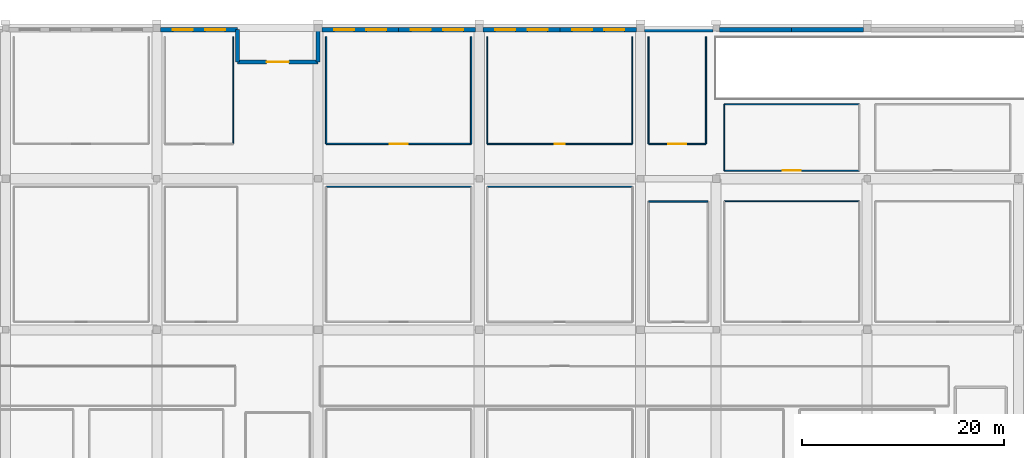
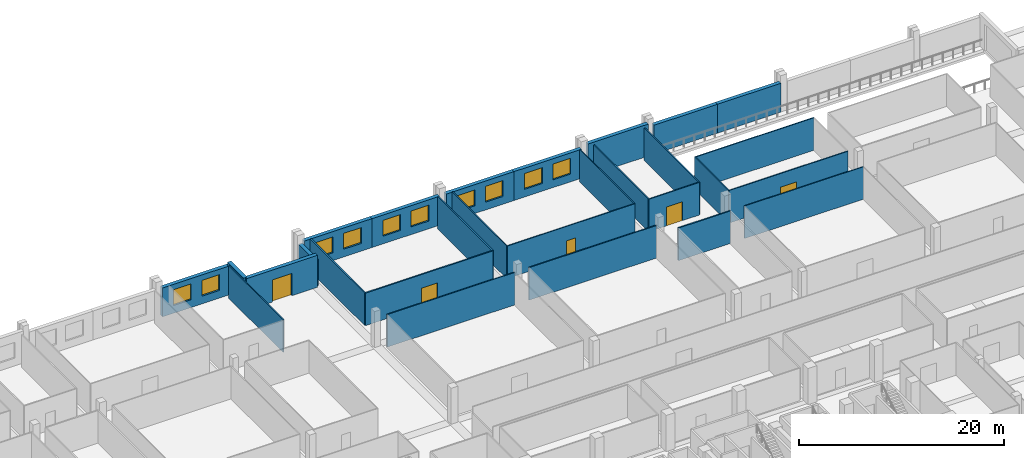
# One storey, part 21 of 33: 28 walls, 10 windows, 5 doors, 15 openings.
"""IFC4 building model written with IfcOpenShell, lengths in metres."""

from ifc_helpers import new_model, si_unit, direction, frame, frame_2d, origin, place, context, subcontext, project, spatial, rectangle, extrude, material, layer, layer_set, type_object, element, fill, save


model = new_model("IFC4")

# Units and contexts
model_context = context("Model", 3, precision=1e-05, world=origin(), true_north=direction((0.0, 1.0)))
body_context = subcontext(model_context, "Body", "Model", "MODEL_VIEW")
ifc_project = project(units=[si_unit("LENGTHUNIT", "METRE"), si_unit("AREAUNIT", "SQUARE_METRE"), si_unit("VOLUMEUNIT", "CUBIC_METRE"), si_unit("PLANEANGLEUNIT", "RADIAN"), si_unit("MASSUNIT", "GRAM", prefix="KILO")], contexts=[model_context])

# Site, building, storey
site_placement = place(None, origin())
site = spatial("IfcSite", under=ifc_project, at=site_placement, CompositionType="ELEMENT")
building_placement = place(site_placement, origin())
building = spatial("IfcBuilding", under=site, at=building_placement, Name="Akrevak Sports Hall", CompositionType="ELEMENT")
storey_placement = place(building_placement, origin())
storey = spatial("IfcBuildingStorey", under=building, at=storey_placement, Name="L00", CompositionType="ELEMENT", Elevation=0.0)

# Wall, openings, windows
ifc_material_1 = material(Name="Limestone Ashlar", Category="stone")
ifc_layer_1 = layer(ifc_material_1, 0.090087890625, Name="Limestone Ashlar")
ifc_material_2 = material(Name="Mineral Wool Thermal Insulation", Category="insulation")
ifc_layer_2 = layer(ifc_material_2, 0.110107421875, Name="Mineral Wool Thermal Insulation")
ifc_material_3 = material(Name="Concrete C40/50", Category="concrete")
ifc_layer_3 = layer(ifc_material_3, 0.219970703125, Name="Concrete C40/50")
ifc_layer_set_1 = layer_set([ifc_layer_1, ifc_layer_2, ifc_layer_3], Name="Limestone Ashlar / Mineral Wool Thermal Insulation / Concrete C40/50")
wall_type_1 = type_object("IfcWallType", Name="ARC-WL-EXT-420", PredefinedType="SOLIDWALL", material=ifc_layer_set_1)
wall_1_placement = place(storey_placement, frame((68.0, 113.7900390625, 0.0), z_axis=(0.0, 0.0, 1.0), x_axis=(-1.0, 0.0, 0.0)))
wall_1 = element("IfcWall", 1, at=wall_1_placement, inside=storey, type_object=wall_type_1, Name="North Concourse Stone Wall L00-N09", PredefinedType="SOLIDWALL", context=body_context, shape_type="SweptSolid", body=[
    extrude(rectangle(XDim=7.625, YDim=0.419921875, at=frame_2d((3.8125, 0.0))), origin(), (0.0, 0.0, 1.0), 3.449951171875),
])
opening_1_placement = place(wall_1_placement, frame((4.413818359375, 0.0, 0.919921875)))
opening_1 = element("IfcOpeningElement", 2, at=opening_1_placement, cuts=wall_1, Name="Opening WN-28", PredefinedType="OPENING", context=body_context, shape_type="SweptSolid", body=[
    extrude(rectangle(XDim=2.0, YDim=1.889892578125, at=frame_2d((1.0, 0.94482421875))), frame((0.0, 0.221923828125, 0.0), z_axis=(0.0, -1.0, 0.0), x_axis=(1.0, 0.0, 0.0)), (0.0, 0.0, 1.0), 0.44384765625),
])
opening_2_placement = place(wall_1_placement, frame((1.211181640625, 0.0, 0.919921875)))
opening_2 = element("IfcOpeningElement", 3, at=opening_2_placement, cuts=wall_1, Name="Opening WN-28", PredefinedType="OPENING", context=body_context, shape_type="SweptSolid", body=[
    extrude(rectangle(XDim=2.0, YDim=1.889892578125, at=frame_2d((1.0, 0.94482421875))), frame((0.0, 0.221923828125, 0.0), z_axis=(0.0, -1.0, 0.0), x_axis=(1.0, 0.0, 0.0)), (0.0, 0.0, 1.0), 0.44384765625),
])
ifc_material_4 = material(Name="Thermally Broken Bronze Frame & Double Low-E Glass", Category="glass")
window_type = type_object("IfcWindowType", Name="ARC-WIN-SZ-2000x1890", PartitioningType="SINGLE_PANEL", PredefinedType="WINDOW", material=ifc_material_4)
window_1_placement = place(opening_1_placement, origin())
window_1 = element("IfcWindow", 4, at=window_1_placement, inside=storey, type_object=window_type, Name="Beaux-Arts Facade Window WIN-L00-N09-1", OverallHeight=1.889892578125, OverallWidth=2.0, PartitioningType="SINGLE_PANEL", PredefinedType="WINDOW", context=body_context, shape_type="SweptSolid", body=[
    extrude(rectangle(XDim=2.0, YDim=1.889892578125, at=frame_2d((1.0, 0.94482421875))), frame((0.0, 0.030029296875, 0.0), z_axis=(0.0, -1.0, 0.0), x_axis=(1.0, 0.0, 0.0)), (0.0, 0.0, 1.0), 0.06005859375),
])
fill(opening_1, window_1)
window_2_placement = place(opening_2_placement, origin())
window_2 = element("IfcWindow", 5, at=window_2_placement, inside=storey, type_object=window_type, Name="Beaux-Arts Facade Window WIN-L00-N09-2", OverallHeight=1.889892578125, OverallWidth=2.0, PartitioningType="SINGLE_PANEL", PredefinedType="WINDOW", context=body_context, shape_type="SweptSolid", body=[
    extrude(rectangle(XDim=2.0, YDim=1.889892578125, at=frame_2d((1.0, 0.94482421875))), frame((0.0, 0.030029296875, 0.0), z_axis=(0.0, -1.0, 0.0), x_axis=(1.0, 0.0, 0.0)), (0.0, 0.0, 1.0), 0.06005859375),
])
fill(opening_2, window_2)

# Walls
wall_2_placement = place(storey_placement, frame((76.0, 113.7900390625, 0.0), z_axis=(0.0, 0.0, 1.0), x_axis=(0.0, -1.0, 0.0)))
element("IfcWall", 6, at=wall_2_placement, inside=storey, type_object=wall_type_1, Name="North Athletes Portico Cheek East L00", PredefinedType="SOLIDWALL", context=body_context, shape_type="SweptSolid", body=[
    extrude(rectangle(XDim=3.18994140625, YDim=0.419921875, at=frame_2d((1.594970703125, 0.0))), origin(), (0.0, 0.0, 1.0), 3.14990234375),
])
wall_3_placement = place(storey_placement, frame((68.0, 110.60009765625, 0.0), z_axis=(0.0, 0.0, 1.0), x_axis=(0.0, 1.0, 0.0)))
element("IfcWall", 7, at=wall_3_placement, inside=storey, type_object=wall_type_1, Name="North Athletes Portico Cheek West L00", PredefinedType="SOLIDWALL", context=body_context, shape_type="SweptSolid", body=[
    extrude(rectangle(XDim=3.18994140625, YDim=0.419921875, at=frame_2d((1.594970703125, 0.0))), origin(), (0.0, 0.0, 1.0), 3.820068359375),
])

# Wall, opening, door
wall_4_placement = place(storey_placement, frame((76.0, 110.60009765625, 0.0), z_axis=(0.0, 0.0, 1.0), x_axis=(-1.0, 0.0, 0.0)))
wall_4 = element("IfcWall", 8, at=wall_4_placement, inside=storey, type_object=wall_type_1, Name="North Athletes Recessed Portico Wall L00", PredefinedType="SOLIDWALL", context=body_context, shape_type="SweptSolid", body=[
    extrude(rectangle(XDim=8.0, YDim=0.419921875, at=frame_2d((4.0, 0.0))), origin(), (0.0, 0.0, 1.0), 3.820068359375),
])
opening_3_placement = place(wall_4_placement, frame((2.89990234375, 0.0, 0.0)))
opening_3 = element("IfcOpeningElement", 9, at=opening_3_placement, cuts=wall_4, Name="Opening ED-02", PredefinedType="OPENING", context=body_context, shape_type="SweptSolid", body=[
    extrude(rectangle(XDim=2.199951171875, YDim=2.64990234375, at=frame_2d((1.10009765625, 1.324951171875))), frame((0.0, 0.221923828125, 0.0), z_axis=(0.0, -1.0, 0.0), x_axis=(1.0, 0.0, 0.0)), (0.0, 0.0, 1.0), 0.44384765625),
])
ifc_material_5 = material(Name="Anodized Bronze Aluminium & Tempered Glass", Category="aluminium")
door_type_1 = type_object("IfcDoorType", Name="ARC-DR-EXT-220x245", OperationType="DOUBLE_DOOR_SINGLE_SWING", PredefinedType="DOOR", material=ifc_material_5)
door_1_placement = place(opening_3_placement, frame((2.199951171875, 0.0, 0.0), z_axis=(0.0, 0.0, 1.0), x_axis=(-1.0, 0.0, 0.0)))
door_1 = element("IfcDoor", 10, at=door_1_placement, inside=storey, type_object=door_type_1, Name="North Athletes Concourse Exit ED08", OperationType="DOUBLE_DOOR_SINGLE_SWING", OverallHeight=2.64990234375, OverallWidth=2.199951171875, PredefinedType="DOOR", context=body_context, shape_type="SweptSolid", body=[
    extrude(rectangle(XDim=2.199951171875, YDim=2.64990234375, at=frame_2d((1.10009765625, 1.324951171875))), frame((0.0, 0.02490234375, 0.0), z_axis=(0.0, -1.0, 0.0), x_axis=(1.0, 0.0, 0.0)), (0.0, 0.0, 1.0), 0.050048828125),
])
fill(opening_3, door_1)

# Wall, openings, windows
wall_5_placement = place(storey_placement, frame((84.0, 113.7900390625, 0.0), z_axis=(0.0, 0.0, 1.0), x_axis=(-1.0, 0.0, 0.0)))
wall_5 = element("IfcWall", 11, at=wall_5_placement, inside=storey, type_object=wall_type_1, Name="North Concourse Stone Wall L00-N11", PredefinedType="SOLIDWALL", context=body_context, shape_type="SweptSolid", body=[
    extrude(rectangle(XDim=7.625, YDim=0.419921875, at=frame_2d((3.8125, 0.0))), origin(), (0.0, 0.0, 1.0), 3.449951171875),
])
opening_4_placement = place(wall_5_placement, frame((4.413818359375, 0.0, 0.919921875)))
opening_4 = element("IfcOpeningElement", 12, at=opening_4_placement, cuts=wall_5, Name="Opening WN-28", PredefinedType="OPENING", context=body_context, shape_type="SweptSolid", body=[
    extrude(rectangle(XDim=2.0, YDim=1.889892578125, at=frame_2d((1.0, 0.94482421875))), frame((0.0, 0.221923828125, 0.0), z_axis=(0.0, -1.0, 0.0), x_axis=(1.0, 0.0, 0.0)), (0.0, 0.0, 1.0), 0.44384765625),
])
opening_5_placement = place(wall_5_placement, frame((1.211181640625, 0.0, 0.919921875)))
opening_5 = element("IfcOpeningElement", 13, at=opening_5_placement, cuts=wall_5, Name="Opening WN-28", PredefinedType="OPENING", context=body_context, shape_type="SweptSolid", body=[
    extrude(rectangle(XDim=2.0, YDim=1.889892578125, at=frame_2d((1.0, 0.94482421875))), frame((0.0, 0.221923828125, 0.0), z_axis=(0.0, -1.0, 0.0), x_axis=(1.0, 0.0, 0.0)), (0.0, 0.0, 1.0), 0.44384765625),
])
window_3_placement = place(opening_4_placement, origin())
window_3 = element("IfcWindow", 14, at=window_3_placement, inside=storey, type_object=window_type, Name="Beaux-Arts Facade Window WIN-L00-N11-1", OverallHeight=1.889892578125, OverallWidth=2.0, PartitioningType="SINGLE_PANEL", PredefinedType="WINDOW", context=body_context, shape_type="SweptSolid", body=[
    extrude(rectangle(XDim=2.0, YDim=1.889892578125, at=frame_2d((1.0, 0.94482421875))), frame((0.0, 0.030029296875, 0.0), z_axis=(0.0, -1.0, 0.0), x_axis=(1.0, 0.0, 0.0)), (0.0, 0.0, 1.0), 0.06005859375),
])
fill(opening_4, window_3)
window_4_placement = place(opening_5_placement, origin())
window_4 = element("IfcWindow", 15, at=window_4_placement, inside=storey, type_object=window_type, Name="Beaux-Arts Facade Window WIN-L00-N11-2", OverallHeight=1.889892578125, OverallWidth=2.0, PartitioningType="SINGLE_PANEL", PredefinedType="WINDOW", context=body_context, shape_type="SweptSolid", body=[
    extrude(rectangle(XDim=2.0, YDim=1.889892578125, at=frame_2d((1.0, 0.94482421875))), frame((0.0, 0.030029296875, 0.0), z_axis=(0.0, -1.0, 0.0), x_axis=(1.0, 0.0, 0.0)), (0.0, 0.0, 1.0), 0.06005859375),
])
fill(opening_5, window_4)

wall_6_placement = place(storey_placement, frame((91.625, 113.7900390625, 0.0), z_axis=(0.0, 0.0, 1.0), x_axis=(-1.0, 0.0, 0.0)))
wall_6 = element("IfcWall", 16, at=wall_6_placement, inside=storey, type_object=wall_type_1, Name="North Concourse Stone Wall L00-N12", PredefinedType="SOLIDWALL", context=body_context, shape_type="SweptSolid", body=[
    extrude(rectangle(XDim=7.625, YDim=0.419921875, at=frame_2d((3.8125, 0.0))), origin(), (0.0, 0.0, 1.0), 3.449951171875),
])
opening_6_placement = place(wall_6_placement, frame((4.413818359375, 0.0, 0.919921875)))
opening_6 = element("IfcOpeningElement", 17, at=opening_6_placement, cuts=wall_6, Name="Opening WN-28", PredefinedType="OPENING", context=body_context, shape_type="SweptSolid", body=[
    extrude(rectangle(XDim=2.0, YDim=1.889892578125, at=frame_2d((1.0, 0.94482421875))), frame((0.0, 0.221923828125, 0.0), z_axis=(0.0, -1.0, 0.0), x_axis=(1.0, 0.0, 0.0)), (0.0, 0.0, 1.0), 0.44384765625),
])
opening_7_placement = place(wall_6_placement, frame((1.211181640625, 0.0, 0.919921875)))
opening_7 = element("IfcOpeningElement", 18, at=opening_7_placement, cuts=wall_6, Name="Opening WN-28", PredefinedType="OPENING", context=body_context, shape_type="SweptSolid", body=[
    extrude(rectangle(XDim=2.0, YDim=1.889892578125, at=frame_2d((1.0, 0.94482421875))), frame((0.0, 0.221923828125, 0.0), z_axis=(0.0, -1.0, 0.0), x_axis=(1.0, 0.0, 0.0)), (0.0, 0.0, 1.0), 0.44384765625),
])
window_5_placement = place(opening_6_placement, origin())
window_5 = element("IfcWindow", 19, at=window_5_placement, inside=storey, type_object=window_type, Name="Beaux-Arts Facade Window WIN-L00-N12-1", OverallHeight=1.889892578125, OverallWidth=2.0, PartitioningType="SINGLE_PANEL", PredefinedType="WINDOW", context=body_context, shape_type="SweptSolid", body=[
    extrude(rectangle(XDim=2.0, YDim=1.889892578125, at=frame_2d((1.0, 0.94482421875))), frame((0.0, 0.030029296875, 0.0), z_axis=(0.0, -1.0, 0.0), x_axis=(1.0, 0.0, 0.0)), (0.0, 0.0, 1.0), 0.06005859375),
])
fill(opening_6, window_5)
window_6_placement = place(opening_7_placement, origin())
window_6 = element("IfcWindow", 20, at=window_6_placement, inside=storey, type_object=window_type, Name="Beaux-Arts Facade Window WIN-L00-N12-2", OverallHeight=1.889892578125, OverallWidth=2.0, PartitioningType="SINGLE_PANEL", PredefinedType="WINDOW", context=body_context, shape_type="SweptSolid", body=[
    extrude(rectangle(XDim=2.0, YDim=1.889892578125, at=frame_2d((1.0, 0.94482421875))), frame((0.0, 0.030029296875, 0.0), z_axis=(0.0, -1.0, 0.0), x_axis=(1.0, 0.0, 0.0)), (0.0, 0.0, 1.0), 0.06005859375),
])
fill(opening_7, window_6)

wall_7_placement = place(storey_placement, frame((100.0, 113.7900390625, 0.0), z_axis=(0.0, 0.0, 1.0), x_axis=(-1.0, 0.0, 0.0)))
wall_7 = element("IfcWall", 21, at=wall_7_placement, inside=storey, type_object=wall_type_1, Name="North Concourse Stone Wall L00-N13", PredefinedType="SOLIDWALL", context=body_context, shape_type="SweptSolid", body=[
    extrude(rectangle(XDim=7.625, YDim=0.419921875, at=frame_2d((3.8125, 0.0))), origin(), (0.0, 0.0, 1.0), 3.449951171875),
])
opening_8_placement = place(wall_7_placement, frame((4.413818359375, 0.0, 0.919921875)))
opening_8 = element("IfcOpeningElement", 22, at=opening_8_placement, cuts=wall_7, Name="Opening WN-28", PredefinedType="OPENING", context=body_context, shape_type="SweptSolid", body=[
    extrude(rectangle(XDim=2.0, YDim=1.889892578125, at=frame_2d((1.0, 0.94482421875))), frame((0.0, 0.221923828125, 0.0), z_axis=(0.0, -1.0, 0.0), x_axis=(1.0, 0.0, 0.0)), (0.0, 0.0, 1.0), 0.44384765625),
])
opening_9_placement = place(wall_7_placement, frame((1.211181640625, 0.0, 0.919921875)))
opening_9 = element("IfcOpeningElement", 23, at=opening_9_placement, cuts=wall_7, Name="Opening WN-28", PredefinedType="OPENING", context=body_context, shape_type="SweptSolid", body=[
    extrude(rectangle(XDim=2.0, YDim=1.889892578125, at=frame_2d((1.0, 0.94482421875))), frame((0.0, 0.221923828125, 0.0), z_axis=(0.0, -1.0, 0.0), x_axis=(1.0, 0.0, 0.0)), (0.0, 0.0, 1.0), 0.44384765625),
])
window_7_placement = place(opening_8_placement, origin())
window_7 = element("IfcWindow", 24, at=window_7_placement, inside=storey, type_object=window_type, Name="Beaux-Arts Facade Window WIN-L00-N13-1", OverallHeight=1.889892578125, OverallWidth=2.0, PartitioningType="SINGLE_PANEL", PredefinedType="WINDOW", context=body_context, shape_type="SweptSolid", body=[
    extrude(rectangle(XDim=2.0, YDim=1.889892578125, at=frame_2d((1.0, 0.94482421875))), frame((0.0, 0.030029296875, 0.0), z_axis=(0.0, -1.0, 0.0), x_axis=(1.0, 0.0, 0.0)), (0.0, 0.0, 1.0), 0.06005859375),
])
fill(opening_8, window_7)
window_8_placement = place(opening_9_placement, origin())
window_8 = element("IfcWindow", 25, at=window_8_placement, inside=storey, type_object=window_type, Name="Beaux-Arts Facade Window WIN-L00-N13-2", OverallHeight=1.889892578125, OverallWidth=2.0, PartitioningType="SINGLE_PANEL", PredefinedType="WINDOW", context=body_context, shape_type="SweptSolid", body=[
    extrude(rectangle(XDim=2.0, YDim=1.889892578125, at=frame_2d((1.0, 0.94482421875))), frame((0.0, 0.030029296875, 0.0), z_axis=(0.0, -1.0, 0.0), x_axis=(1.0, 0.0, 0.0)), (0.0, 0.0, 1.0), 0.06005859375),
])
fill(opening_9, window_8)

wall_8_placement = place(storey_placement, frame((107.625, 113.7900390625, 0.0), z_axis=(0.0, 0.0, 1.0), x_axis=(-1.0, 0.0, 0.0)))
wall_8 = element("IfcWall", 26, at=wall_8_placement, inside=storey, type_object=wall_type_1, Name="North Concourse Stone Wall L00-N14", PredefinedType="SOLIDWALL", context=body_context, shape_type="SweptSolid", body=[
    extrude(rectangle(XDim=7.625, YDim=0.419921875, at=frame_2d((3.8125, 0.0))), origin(), (0.0, 0.0, 1.0), 3.449951171875),
])
opening_10_placement = place(wall_8_placement, frame((4.413818359375, 0.0, 0.919921875)))
opening_10 = element("IfcOpeningElement", 27, at=opening_10_placement, cuts=wall_8, Name="Opening WN-28", PredefinedType="OPENING", context=body_context, shape_type="SweptSolid", body=[
    extrude(rectangle(XDim=2.0, YDim=1.889892578125, at=frame_2d((1.0, 0.94482421875))), frame((0.0, 0.221923828125, 0.0), z_axis=(0.0, -1.0, 0.0), x_axis=(1.0, 0.0, 0.0)), (0.0, 0.0, 1.0), 0.44384765625),
])
opening_11_placement = place(wall_8_placement, frame((1.211181640625, 0.0, 0.919921875)))
opening_11 = element("IfcOpeningElement", 28, at=opening_11_placement, cuts=wall_8, Name="Opening WN-28", PredefinedType="OPENING", context=body_context, shape_type="SweptSolid", body=[
    extrude(rectangle(XDim=2.0, YDim=1.889892578125, at=frame_2d((1.0, 0.94482421875))), frame((0.0, 0.221923828125, 0.0), z_axis=(0.0, -1.0, 0.0), x_axis=(1.0, 0.0, 0.0)), (0.0, 0.0, 1.0), 0.44384765625),
])
window_9_placement = place(opening_10_placement, origin())
window_9 = element("IfcWindow", 29, at=window_9_placement, inside=storey, type_object=window_type, Name="Beaux-Arts Facade Window WIN-L00-N14-1", OverallHeight=1.889892578125, OverallWidth=2.0, PartitioningType="SINGLE_PANEL", PredefinedType="WINDOW", context=body_context, shape_type="SweptSolid", body=[
    extrude(rectangle(XDim=2.0, YDim=1.889892578125, at=frame_2d((1.0, 0.94482421875))), frame((0.0, 0.030029296875, 0.0), z_axis=(0.0, -1.0, 0.0), x_axis=(1.0, 0.0, 0.0)), (0.0, 0.0, 1.0), 0.06005859375),
])
fill(opening_10, window_9)
window_10_placement = place(opening_11_placement, origin())
window_10 = element("IfcWindow", 30, at=window_10_placement, inside=storey, type_object=window_type, Name="Beaux-Arts Facade Window WIN-L00-N14-2", OverallHeight=1.889892578125, OverallWidth=2.0, PartitioningType="SINGLE_PANEL", PredefinedType="WINDOW", context=body_context, shape_type="SweptSolid", body=[
    extrude(rectangle(XDim=2.0, YDim=1.889892578125, at=frame_2d((1.0, 0.94482421875))), frame((0.0, 0.030029296875, 0.0), z_axis=(0.0, -1.0, 0.0), x_axis=(1.0, 0.0, 0.0)), (0.0, 0.0, 1.0), 0.06005859375),
])
fill(opening_11, window_10)

# Walls
wall_9_placement = place(storey_placement, frame((115.175048828125, 113.7900390625, 0.0), z_axis=(0.0, 0.0, 1.0), x_axis=(-1.0, 0.0, 0.0)))
element("IfcWall", 31, at=wall_9_placement, inside=storey, type_object=wall_type_1, Name="North Concourse Stone Wall L00-N15", PredefinedType="SOLIDWALL", context=body_context, shape_type="SweptSolid", body=[
    extrude(rectangle(XDim=6.800048828125, YDim=0.419921875, at=frame_2d((3.39990234375, 0.0))), origin(), (0.0, 0.0, 1.0), 3.820068359375),
])
wall_10_placement = place(storey_placement, frame((123.0, 113.7900390625, 0.0), z_axis=(0.0, 0.0, 1.0), x_axis=(-1.0, 0.0, 0.0)))
element("IfcWall", 32, at=wall_10_placement, inside=storey, type_object=wall_type_1, Name="North Concourse Stone Wall L00-N16", PredefinedType="SOLIDWALL", context=body_context, shape_type="SweptSolid", body=[
    extrude(rectangle(XDim=7.175048828125, YDim=0.419921875, at=frame_2d((3.58740234375, 0.0))), origin(), (0.0, 0.0, 1.0), 3.449951171875),
])
wall_11_placement = place(storey_placement, frame((130.125, 113.7900390625, 0.0), z_axis=(0.0, 0.0, 1.0), x_axis=(-1.0, 0.0, 0.0)))
element("IfcWall", 33, at=wall_11_placement, inside=storey, type_object=wall_type_1, Name="North Concourse Stone Wall L00-N17", PredefinedType="SOLIDWALL", context=body_context, shape_type="SweptSolid", body=[
    extrude(rectangle(XDim=7.125, YDim=0.419921875, at=frame_2d((3.5625, 0.0))), origin(), (0.0, 0.0, 1.0), 3.449951171875),
])
ifc_material_6 = material(Name="Sanitary Cubicle Partition", Category="gypsum")
ifc_layer_4 = layer(ifc_material_6, 0.10009765625, Name="Sanitary Cubicle Partition")
ifc_layer_set_2 = layer_set([ifc_layer_4], Name="Sanitary Cubicle Partition")
wall_type_2 = type_object("IfcWallType", Name="ARC-WL-PRT-100", PredefinedType="PARTITIONING", material=ifc_layer_set_2)
wall_12_placement = place(storey_placement, frame((116.300048828125, 96.75, 0.0), z_axis=(0.0, 0.0, 1.0), x_axis=(1.0, 0.0, 0.0)))
element("IfcWall", 34, at=wall_12_placement, inside=storey, type_object=wall_type_2, Name="Interior Partition Athletic Gear & Equipment Storage L00-10 (N)", PredefinedType="PARTITIONING", context=body_context, shape_type="SweptSolid", body=[
    extrude(rectangle(XDim=13.39990234375, YDim=0.10009765625, at=frame_2d((6.699951171875, 0.0))), origin(), (0.0, 0.0, 1.0), 3.8798828125),
])

# Wall, opening, door
ifc_material_7 = material(Name="Lightweight Office Partition", Category="gypsum")
ifc_layer_5 = layer(ifc_material_7, 0.110107421875, Name="Lightweight Office Partition")
ifc_layer_set_3 = layer_set([ifc_layer_5], Name="Lightweight Office Partition")
wall_type_3 = type_object("IfcWallType", Name="ARC-WL-PRT-110", PredefinedType="PARTITIONING", material=ifc_layer_set_3)
wall_13_placement = place(storey_placement, frame((92.800048828125, 102.449951171875, 0.0), z_axis=(0.0, 0.0, 1.0), x_axis=(1.0, 0.0, 0.0)))
wall_13 = element("IfcWall", 35, at=wall_13_placement, inside=storey, type_object=wall_type_3, Name="Interior Partition Federation Officiating & Records Office L00-8 (S)", PredefinedType="PARTITIONING", context=body_context, shape_type="SweptSolid", body=[
    extrude(rectangle(XDim=14.39990234375, YDim=0.110107421875, at=frame_2d((7.199951171875, 0.0))), origin(), (0.0, 0.0, 1.0), 3.8798828125),
])
opening_12_placement = place(wall_13_placement, frame((6.699951171875, 0.0, 0.0)))
opening_12 = element("IfcOpeningElement", 36, at=opening_12_placement, cuts=wall_13, Name="Opening ID-06", PredefinedType="OPENING", context=body_context, shape_type="SweptSolid", body=[
    extrude(rectangle(XDim=1.0, YDim=2.14990234375, at=frame_2d((0.5, 1.074951171875))), frame((0.0, 0.06689453125, 0.0), z_axis=(0.0, -1.0, 0.0), x_axis=(1.0, 0.0, 0.0)), (0.0, 0.0, 1.0), 0.134033203125),
])
ifc_material_8 = material(Name="Hardwood Oak Acoustic Leaf", Category="wood")
door_type_2 = type_object("IfcDoorType", Name="ARC-DR-OFF-100x215", OperationType="NOTDEFINED", PredefinedType="DOOR", material=ifc_material_8)
door_2_placement = place(opening_12_placement, frame((1.0, 0.0, 0.0), z_axis=(0.0, 0.0, 1.0), x_axis=(-1.0, 0.0, 0.0)))
door_2 = element("IfcDoor", 37, at=door_2_placement, inside=storey, type_object=door_type_2, Name="Door to Federation Officiating & Records Office L00-8", OperationType="SINGLE_SWING_RIGHT", OverallHeight=2.14990234375, OverallWidth=1.0, PredefinedType="DOOR", context=body_context, shape_type="SweptSolid", body=[
    extrude(rectangle(XDim=1.0, YDim=2.14990234375, at=frame_2d((0.5, 1.074951171875))), frame((0.0, 0.02490234375, 0.0), z_axis=(0.0, -1.0, 0.0), x_axis=(1.0, 0.0, 0.0)), (0.0, 0.0, 1.0), 0.050048828125),
])
fill(opening_12, door_2)

# Walls
for number, where, z_axis, x_axis, name in (
    (38, (92.800048828125, 102.449951171875, 0.0), (0.0, 0.0, 1.0), (0.0, 1.0, 0.0), "Interior Partition Federation Officiating & Records Office L00-8 (W)"),
    (39, (107.199951171875, 102.449951171875, 0.0), (0.0, 0.0, 1.0), (0.0, 1.0, 0.0), "Interior Partition Federation Officiating & Records Office L00-8 (E)"),
):
    element("IfcWall", number, at=place(storey_placement, frame(where, z_axis=z_axis, x_axis=x_axis)), inside=storey, type_object=wall_type_3, Name=name, PredefinedType="PARTITIONING", context=body_context, shape_type="SweptSolid", body=[
        extrude(rectangle(XDim=10.650146484375, YDim=0.110107421875, at=frame_2d((5.3251953125, 0.0))), origin(), (0.0, 0.0, 1.0), 3.8798828125),
    ])
ifc_material_9 = material(Name="Standard Metal Stud Partition", Category="gypsum")
ifc_layer_6 = layer(ifc_material_9, 0.1201171875, Name="Standard Metal Stud Partition")
ifc_layer_set_4 = layer_set([ifc_layer_6], Name="Standard Metal Stud Partition")
wall_type_4 = type_object("IfcWallType", Name="ARC-WL-PRT-120", PredefinedType="PARTITIONING", material=ifc_layer_set_4)
wall_14_placement = place(storey_placement, frame((76.800048828125, 98.199951171875, 0.0), z_axis=(0.0, 0.0, 1.0), x_axis=(1.0, 0.0, 0.0)))
element("IfcWall", 40, at=wall_14_placement, inside=storey, type_object=wall_type_4, Name="Interior Partition Athletic Gear & Equipment Storage L00-7 (N)", PredefinedType="PARTITIONING", context=body_context, shape_type="SweptSolid", body=[
    extrude(rectangle(XDim=14.39990234375, YDim=0.1201171875, at=frame_2d((7.199951171875, 0.0))), origin(), (0.0, 0.0, 1.0), 3.8798828125),
])
wall_15_placement = place(storey_placement, frame((67.60009765625, 102.449951171875, 0.0), z_axis=(0.0, 0.0, 1.0), x_axis=(0.0, 1.0, 0.0)))
element("IfcWall", 41, at=wall_15_placement, inside=storey, type_object=wall_type_4, Name="Interior Partition Federation Officiating & Records Office L00-6 (E)", PredefinedType="PARTITIONING", context=body_context, shape_type="SweptSolid", body=[
    extrude(rectangle(XDim=10.650146484375, YDim=0.1201171875, at=frame_2d((5.3251953125, 0.0))), origin(), (0.0, 0.0, 1.0), 3.8798828125),
])

# Wall, opening, door
wall_16_placement = place(storey_placement, frame((116.300048828125, 99.800048828125, 0.0), z_axis=(0.0, 0.0, 1.0), x_axis=(1.0, 0.0, 0.0)))
wall_16 = element("IfcWall", 42, at=wall_16_placement, inside=storey, type_object=wall_type_4, Name="Interior Partition North-East Competition Gear Storage L00-A (S)", PredefinedType="PARTITIONING", context=body_context, shape_type="SweptSolid", body=[
    extrude(rectangle(XDim=13.39990234375, YDim=0.1201171875, at=frame_2d((6.699951171875, 0.0))), origin(), (0.0, 0.0, 1.0), 3.8798828125),
])
opening_13_placement = place(wall_16_placement, frame((5.800048828125, 0.0, 0.0)))
opening_13 = element("IfcOpeningElement", 43, at=opening_13_placement, cuts=wall_16, Name="Opening ID-02", PredefinedType="OPENING", context=body_context, shape_type="SweptSolid", body=[
    extrude(rectangle(XDim=1.800048828125, YDim=2.25, at=frame_2d((0.89990234375, 1.125))), frame((0.0, 0.072021484375, 0.0), z_axis=(0.0, -1.0, 0.0), x_axis=(1.0, 0.0, 0.0)), (0.0, 0.0, 1.0), 0.14404296875),
])
ifc_material_10 = material(Name="Hardwood Oak & Safety Glass", Category="wood")
door_type_3 = type_object("IfcDoorType", Name="ARC-DR-HALL-180x225", OperationType="DOUBLE_DOOR_SINGLE_SWING", PredefinedType="DOOR", material=ifc_material_10)
door_3_placement = place(opening_13_placement, origin())
door_3 = element("IfcDoor", 44, at=door_3_placement, inside=storey, type_object=door_type_3, Name="Door to North-East Competition Gear Storage L00-A", OperationType="DOUBLE_DOOR_SINGLE_SWING", OverallHeight=2.25, OverallWidth=1.800048828125, PredefinedType="DOOR", context=body_context, shape_type="SweptSolid", body=[
    extrude(rectangle(XDim=1.800048828125, YDim=2.25, at=frame_2d((0.89990234375, 1.125))), frame((0.0, 0.02490234375, 0.0), z_axis=(0.0, -1.0, 0.0), x_axis=(1.0, 0.0, 0.0)), (0.0, 0.0, 1.0), 0.050048828125),
])
fill(opening_13, door_3)

# Walls
wall_17_placement = place(storey_placement, frame((116.300048828125, 106.39990234375, 0.0), z_axis=(0.0, 0.0, 1.0), x_axis=(1.0, 0.0, 0.0)))
element("IfcWall", 45, at=wall_17_placement, inside=storey, type_object=wall_type_4, Name="Interior Partition North-East Competition Gear Storage L00-A (N)", PredefinedType="PARTITIONING", context=body_context, shape_type="SweptSolid", body=[
    extrude(rectangle(XDim=13.39990234375, YDim=0.1201171875, at=frame_2d((6.699951171875, 0.0))), origin(), (0.0, 0.0, 1.0), 3.8798828125),
])
wall_18_placement = place(storey_placement, frame((116.300048828125, 99.800048828125, 0.0), z_axis=(0.0, 0.0, 1.0), x_axis=(0.0, 1.0, 0.0)))
element("IfcWall", 46, at=wall_18_placement, inside=storey, type_object=wall_type_4, Name="Interior Partition North-East Competition Gear Storage L00-A (W)", PredefinedType="PARTITIONING", context=body_context, shape_type="SweptSolid", body=[
    extrude(rectangle(XDim=6.599853515625, YDim=0.1201171875, at=frame_2d((3.2998046875, 0.0))), origin(), (0.0, 0.0, 1.0), 3.8798828125),
])
ifc_material_11 = material(Name="Acoustic Metal Stud Partition", Category="gypsum")
ifc_layer_7 = layer(ifc_material_11, 0.1298828125, Name="Acoustic Metal Stud Partition")
ifc_layer_set_5 = layer_set([ifc_layer_7], Name="Acoustic Metal Stud Partition")
wall_type_5 = type_object("IfcWallType", Name="ARC-WL-PRT-130", PredefinedType="PARTITIONING", material=ifc_layer_set_5)
wall_19_placement = place(storey_placement, frame((92.800048828125, 98.199951171875, 0.0), z_axis=(0.0, 0.0, 1.0), x_axis=(1.0, 0.0, 0.0)))
element("IfcWall", 47, at=wall_19_placement, inside=storey, type_object=wall_type_5, Name="Interior Partition Sports Federation Training Office L00-8 (N)", PredefinedType="PARTITIONING", context=body_context, shape_type="SweptSolid", body=[
    extrude(rectangle(XDim=14.39990234375, YDim=0.1298828125, at=frame_2d((7.199951171875, 0.0))), origin(), (0.0, 0.0, 1.0), 3.8798828125),
])

# Wall, opening, door
wall_20_placement = place(storey_placement, frame((108.800048828125, 102.449951171875, 0.0), z_axis=(0.0, 0.0, 1.0), x_axis=(1.0, 0.0, 0.0)))
wall_20 = element("IfcWall", 48, at=wall_20_placement, inside=storey, type_object=wall_type_5, Name="Interior Partition Competition Equipment Storage L00-9 (S)", PredefinedType="PARTITIONING", context=body_context, shape_type="SweptSolid", body=[
    extrude(rectangle(XDim=5.699951171875, YDim=0.1298828125, at=frame_2d((2.85009765625, 0.0))), origin(), (0.0, 0.0, 1.0), 3.8798828125),
])
opening_14_placement = place(wall_20_placement, frame((1.949951171875, 0.0, 0.0)))
opening_14 = element("IfcOpeningElement", 49, at=opening_14_placement, cuts=wall_20, Name="Opening ID-02", PredefinedType="OPENING", context=body_context, shape_type="SweptSolid", body=[
    extrude(rectangle(XDim=1.800048828125, YDim=2.25, at=frame_2d((0.89990234375, 1.125))), frame((0.0, 0.076904296875, 0.0), z_axis=(0.0, -1.0, 0.0), x_axis=(1.0, 0.0, 0.0)), (0.0, 0.0, 1.0), 0.15380859375),
])
door_4_placement = place(opening_14_placement, origin())
door_4 = element("IfcDoor", 50, at=door_4_placement, inside=storey, type_object=door_type_3, Name="Door to Competition Equipment Storage L00-9", OperationType="DOUBLE_DOOR_SINGLE_SWING", OverallHeight=2.25, OverallWidth=1.800048828125, PredefinedType="DOOR", context=body_context, shape_type="SweptSolid", body=[
    extrude(rectangle(XDim=1.800048828125, YDim=2.25, at=frame_2d((0.89990234375, 1.125))), frame((0.0, 0.02490234375, 0.0), z_axis=(0.0, -1.0, 0.0), x_axis=(1.0, 0.0, 0.0)), (0.0, 0.0, 1.0), 0.050048828125),
])
fill(opening_14, door_4)

# Walls
for number, where, z_axis, x_axis, name in (
    (51, (108.800048828125, 102.449951171875, 0.0), (0.0, 0.0, 1.0), (0.0, 1.0, 0.0), "Interior Partition Competition Equipment Storage L00-9 (W)"),
    (52, (114.5, 102.449951171875, 0.0), (0.0, 0.0, 1.0), (0.0, 1.0, 0.0), "Interior Partition Competition Equipment Storage L00-9 (E)"),
):
    element("IfcWall", number, at=place(storey_placement, frame(where, z_axis=z_axis, x_axis=x_axis)), inside=storey, type_object=wall_type_5, Name=name, PredefinedType="PARTITIONING", context=body_context, shape_type="SweptSolid", body=[
        extrude(rectangle(XDim=10.650146484375, YDim=0.1298828125, at=frame_2d((5.3251953125, 0.0))), origin(), (0.0, 0.0, 1.0), 3.8798828125),
    ])
ifc_material_12 = material(Name="Double Stud Acoustic Gypsum Partition", Category="gypsum")
ifc_layer_8 = layer(ifc_material_12, 0.14990234375, Name="Double Stud Acoustic Gypsum Partition")
ifc_layer_set_6 = layer_set([ifc_layer_8], Name="Double Stud Acoustic Gypsum Partition")
wall_type_6 = type_object("IfcWallType", Name="ARC-WL-PRT-150", PredefinedType="PARTITIONING", material=ifc_layer_set_6)
wall_21_placement = place(storey_placement, frame((108.800048828125, 96.75, 0.0), z_axis=(0.0, 0.0, 1.0), x_axis=(1.0, 0.0, 0.0)))
element("IfcWall", 53, at=wall_21_placement, inside=storey, type_object=wall_type_6, Name="Interior Partition Sports Clinic Recovery & Physiotherapy Room L00-9 (N)", PredefinedType="PARTITIONING", context=body_context, shape_type="SweptSolid", body=[
    extrude(rectangle(XDim=5.89990234375, YDim=0.14990234375, at=frame_2d((2.949951171875, 0.0))), origin(), (0.0, 0.0, 1.0), 3.8798828125),
])

# Wall, opening, door
wall_22_placement = place(storey_placement, frame((76.800048828125, 102.449951171875, 0.0), z_axis=(0.0, 0.0, 1.0), x_axis=(1.0, 0.0, 0.0)))
wall_22 = element("IfcWall", 54, at=wall_22_placement, inside=storey, type_object=wall_type_6, Name="Interior Partition Competition Equipment Storage L00-7 (S)", PredefinedType="PARTITIONING", context=body_context, shape_type="SweptSolid", body=[
    extrude(rectangle(XDim=14.39990234375, YDim=0.14990234375, at=frame_2d((7.199951171875, 0.0))), origin(), (0.0, 0.0, 1.0), 3.8798828125),
])
opening_15_placement = place(wall_22_placement, frame((6.300048828125, 0.0, 0.0)))
opening_15 = element("IfcOpeningElement", 55, at=opening_15_placement, cuts=wall_22, Name="Opening ID-02", PredefinedType="OPENING", context=body_context, shape_type="SweptSolid", body=[
    extrude(rectangle(XDim=1.800048828125, YDim=2.25, at=frame_2d((0.89990234375, 1.125))), frame((0.0, 0.0869140625, 0.0), z_axis=(0.0, -1.0, 0.0), x_axis=(1.0, 0.0, 0.0)), (0.0, 0.0, 1.0), 0.173828125),
])
door_5_placement = place(opening_15_placement, origin())
door_5 = element("IfcDoor", 56, at=door_5_placement, inside=storey, type_object=door_type_3, Name="Door to Competition Equipment Storage L00-7", OperationType="DOUBLE_DOOR_SINGLE_SWING", OverallHeight=2.25, OverallWidth=1.800048828125, PredefinedType="DOOR", context=body_context, shape_type="SweptSolid", body=[
    extrude(rectangle(XDim=1.800048828125, YDim=2.25, at=frame_2d((0.89990234375, 1.125))), frame((0.0, 0.02490234375, 0.0), z_axis=(0.0, -1.0, 0.0), x_axis=(1.0, 0.0, 0.0)), (0.0, 0.0, 1.0), 0.050048828125),
])
fill(opening_15, door_5)

# Walls
for number, where, z_axis, x_axis, name in (
    (57, (76.800048828125, 102.449951171875, 0.0), (0.0, 0.0, 1.0), (0.0, 1.0, 0.0), "Interior Partition Competition Equipment Storage L00-7 (W)"),
    (58, (91.199951171875, 102.449951171875, 0.0), (0.0, 0.0, 1.0), (0.0, 1.0, 0.0), "Interior Partition Competition Equipment Storage L00-7 (E)"),
):
    element("IfcWall", number, at=place(storey_placement, frame(where, z_axis=z_axis, x_axis=x_axis)), inside=storey, type_object=wall_type_6, Name=name, PredefinedType="PARTITIONING", context=body_context, shape_type="SweptSolid", body=[
        extrude(rectangle(XDim=10.650146484375, YDim=0.14990234375, at=frame_2d((5.3251953125, 0.0))), origin(), (0.0, 0.0, 1.0), 3.8798828125),
    ])

save(model, "model.ifc")
